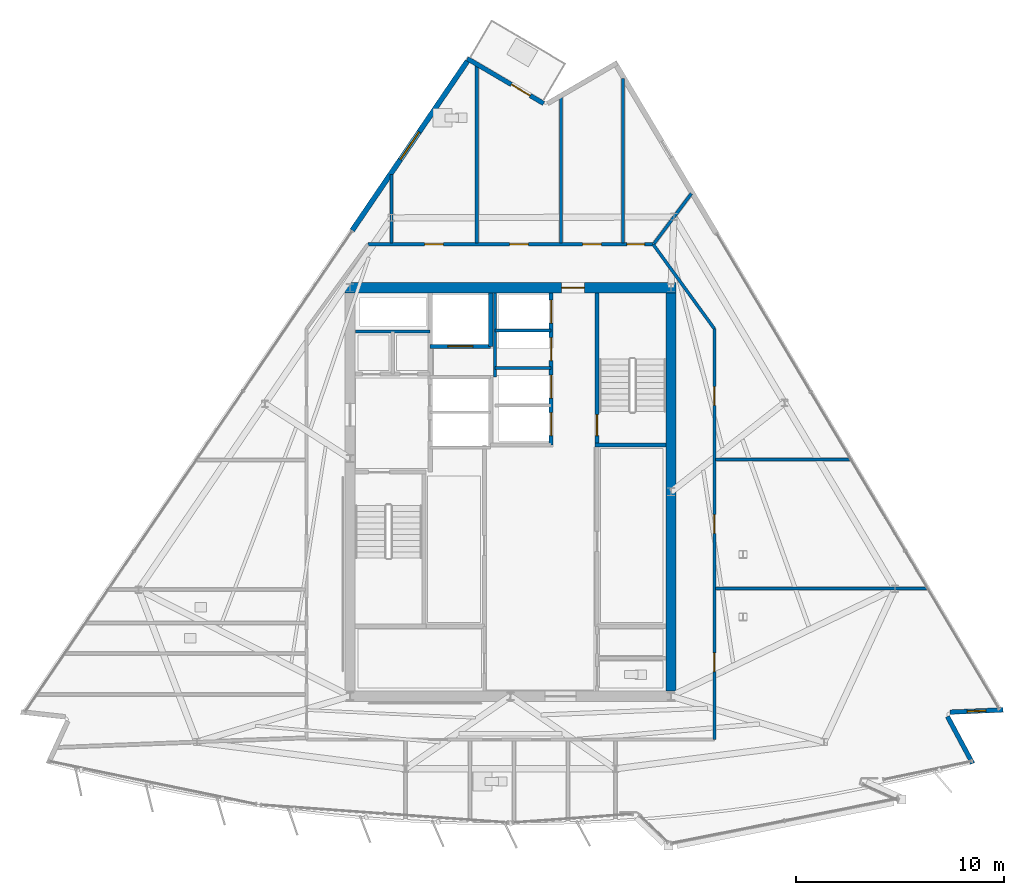
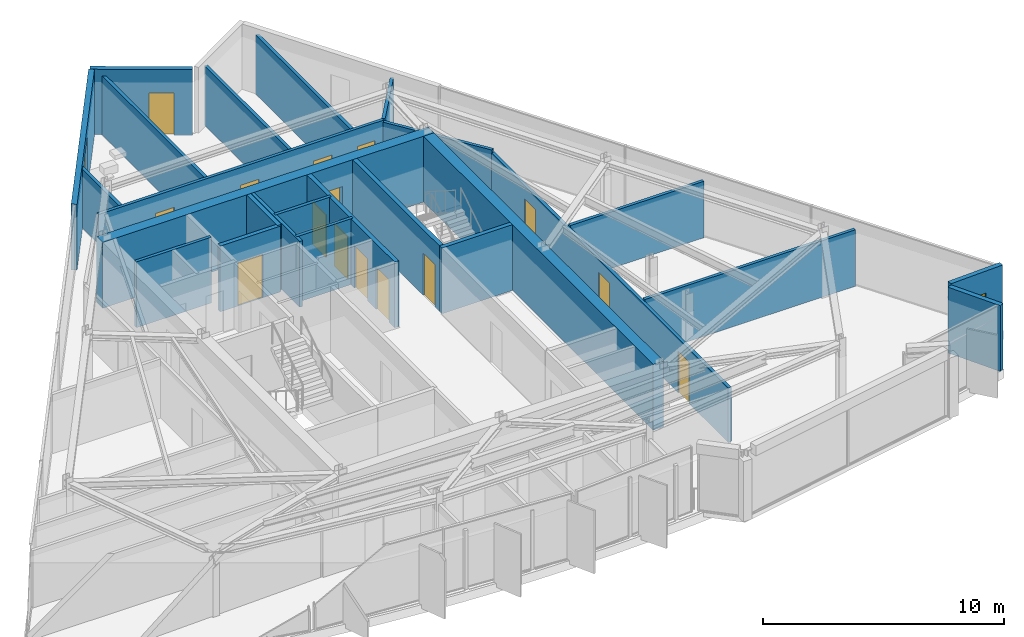
# One storey, part 9 of 14: 25 walls, 15 doors, 2 windows, 17 openings.
"""IFC4 building model written with IfcOpenShell, lengths in metres."""

from ifc_helpers import new_model, si_unit, direction, frame, frame_2d, origin, place, context, subcontext, project, spatial, rectangle, extrude, material, layer, layer_set, type_object, element, fill, save


model = new_model("IFC4")

# Units and contexts
model_context = context("Model", 3, precision=1e-05, world=origin(), true_north=direction((0.0, 1.0)))
body_context = subcontext(model_context, "Body", "Model", "MODEL_VIEW")
ifc_project = project(units=[si_unit("LENGTHUNIT", "METRE"), si_unit("AREAUNIT", "SQUARE_METRE"), si_unit("VOLUMEUNIT", "CUBIC_METRE"), si_unit("PLANEANGLEUNIT", "RADIAN"), si_unit("MASSUNIT", "GRAM", prefix="KILO")], contexts=[model_context])

# Site, building, storey
site_placement = place(None, origin())
site = spatial("IfcSite", under=ifc_project, at=site_placement, CompositionType="ELEMENT")
building_placement = place(site_placement, origin())
building = spatial("IfcBuilding", under=site, at=building_placement, Name="Savorim Split Tower", CompositionType="ELEMENT")
storey_placement = place(building_placement, frame((0.0, 0.0, 294.0)))
storey = spatial("IfcBuildingStorey", under=building, at=storey_placement, Name="L78", CompositionType="ELEMENT", Elevation=294.0)

# Wall, opening, door
ifc_material_1 = material(Name="Concrete C60/75", Category="concrete")
ifc_layer_1 = layer(ifc_material_1, 0.5)
ifc_layer_set_1 = layer_set([ifc_layer_1], Name="WAL-COR-SH500")
wall_type_1 = type_object("IfcWallType", Name="WAL-COR-SH500", PredefinedType="SHEAR", material=ifc_layer_set_1)
wall_1_placement = place(storey_placement, frame((7.949951171875, 10.199951171875, 0.0), z_axis=(0.0, 0.0, 1.0), x_axis=(-1.0, 0.0, 0.0)))
wall_1 = element("IfcWall", 1, at=wall_1_placement, inside=storey, type_object=wall_type_1, Name="L78 Offset Core North Shear Wall", PredefinedType="SHEAR", context=body_context, shape_type="SweptSolid", body=[
    extrude(rectangle(XDim=15.89990234375, YDim=0.5, at=frame_2d((7.949951171875, 0.0))), origin(), (0.0, 0.0, 1.0), 3.340087890625),
])
opening_1_placement = place(wall_1_placement, frame((4.39990234375, 0.0, 0.0)))
opening_1 = element("IfcOpeningElement", 2, at=opening_1_placement, cuts=wall_1, Name="Opening DI-03", PredefinedType="OPENING", context=body_context, shape_type="SweptSolid", body=[
    extrude(rectangle(XDim=1.10009765625, YDim=2.14990234375, at=frame_2d((0.550048828125, 1.074951171875))), frame((0.0, 0.260009765625, 0.0), z_axis=(0.0, -1.0, 0.0), x_axis=(1.0, 0.0, 0.0)), (0.0, 0.0, 1.0), 0.52001953125),
])
ifc_material_2 = material(Name="Timber Fire Door Leaf", Category="wood")
door_type_1 = type_object("IfcDoorType", Name="DOR-FIR-1100", OperationType="NOTDEFINED", PredefinedType="DOOR", material=ifc_material_2)
door_1_placement = place(opening_1_placement, origin())
door_1 = element("IfcDoor", 3, at=door_1_placement, inside=storey, type_object=door_type_1, Name="DOR-L78-COR-NLOB - L78 North Corridor Lobby Fire Door", OperationType="SINGLE_SWING_LEFT", OverallHeight=2.14990234375, OverallWidth=1.10009765625, PredefinedType="DOOR", context=body_context, shape_type="SweptSolid", body=[
    extrude(rectangle(XDim=1.10009765625, YDim=2.14990234375, at=frame_2d((0.550048828125, 1.074951171875))), frame((0.0, 0.02490234375, 0.0), z_axis=(0.0, -1.0, 0.0), x_axis=(1.0, 0.0, 0.0)), (0.0, 0.0, 1.0), 0.050048828125),
])
fill(opening_1, door_1)

# Walls
wall_2_placement = place(storey_placement, frame((7.699951171875, 9.949951171875, 0.0), z_axis=(0.0, 0.0, 1.0), x_axis=(0.0, -1.0, 0.0)))
element("IfcWall", 4, at=wall_2_placement, inside=storey, type_object=wall_type_1, Name="L78 Offset Core East Shear Wall", PredefinedType="SHEAR", context=body_context, shape_type="SweptSolid", body=[
    extrude(rectangle(XDim=19.099853515625, YDim=0.5, at=frame_2d((9.5498046875, 0.0))), origin(), (0.0, 0.0, 1.0), 3.340087890625),
])
ifc_material_3 = material(Name="Precast concrete C40/50", Category="concrete")
ifc_layer_2 = layer(ifc_material_3, 0.219970703125)
ifc_layer_set_2 = layer_set([ifc_layer_2], Name="WAL-EXT-CRN220")
wall_type_2 = type_object("IfcWallType", Name="WAL-EXT-CRN220", PredefinedType="SOLIDWALL", material=ifc_layer_set_2)
wall_3_placement = place(storey_placement, frame((20.9638671875, -10.380615234375, 0.0), z_axis=(0.0, 0.0, 1.0), x_axis=(0.472728849632, -0.881207940685, 0.0)))
element("IfcWall", 5, at=wall_3_placement, inside=storey, type_object=wall_type_2, Name="L78 Notched Corner Facade Wall SE1", PredefinedType="SOLIDWALL", context=body_context, shape_type="SweptSolid", body=[
    extrude(rectangle(XDim=2.5498046875, YDim=0.219970703125, at=frame_2d((1.27490234375, 0.0))), origin(), (0.0, 0.0, 1.0), 3.340087890625),
])

# Wall, opening, window
wall_4_placement = place(storey_placement, frame((23.630615234375, -10.058837890625, 0.0), z_axis=(0.0, 0.0, 1.0), x_axis=(-0.999098350703, -0.042455690107, 0.0)))
wall_4 = element("IfcWall", 6, at=wall_4_placement, inside=storey, type_object=wall_type_2, Name="L78 Notched Corner Facade Wall SE", PredefinedType="SOLIDWALL", context=body_context, shape_type="SweptSolid", body=[
    extrude(rectangle(XDim=2.54736328125, YDim=0.219970703125, at=frame_2d((1.273681640625, 0.0))), origin(), (0.0, 0.0, 1.0), 3.340087890625),
])
opening_2_placement = place(wall_4_placement, frame((0.82373046875, 0.0, 0.6201171875)))
opening_2 = element("IfcOpeningElement", 7, at=opening_2_placement, cuts=wall_4, Name="Opening WN-10", PredefinedType="OPENING", context=body_context, shape_type="SweptSolid", body=[
    extrude(rectangle(XDim=0.89990234375, YDim=1.60009765625, at=frame_2d((0.449951171875, 0.800048828125))), frame((0.0, 0.119873046875, 0.0), z_axis=(0.0, -1.0, 0.0), x_axis=(1.0, 0.0, 0.0)), (0.0, 0.0, 1.0), 0.239990234375),
])
ifc_material_4 = material(Name="Low-E Operable Double Glazing", Category="glass")
window_type_1 = type_object("IfcWindowType", Name="WIN-TWR-900x1600", PartitioningType="SINGLE_PANEL", PredefinedType="WINDOW", material=ifc_material_4)
window_1_placement = place(opening_2_placement, origin())
window_1 = element("IfcWindow", 8, at=window_1_placement, inside=storey, type_object=window_type_1, Name="L78 Operable Corner Window SE", OverallHeight=1.60009765625, OverallWidth=0.89990234375, PartitioningType="SINGLE_PANEL", PredefinedType="WINDOW", context=body_context, shape_type="SweptSolid", body=[
    extrude(rectangle(XDim=0.89990234375, YDim=1.60009765625, at=frame_2d((0.449951171875, 0.800048828125))), frame((0.0, 0.030029296875, 0.0), z_axis=(0.0, -1.0, 0.0), x_axis=(1.0, 0.0, 0.0)), (0.0, 0.0, 1.0), 0.06005859375),
])
fill(opening_2, window_1)

# Wall, opening, door
wall_5_placement = place(storey_placement, frame((-2.073974609375, 21.186279296875, 0.0), z_axis=(0.0, 0.0, 1.0), x_axis=(0.862137800155, -0.506673872964, 0.0)))
wall_5 = element("IfcWall", 9, at=wall_5_placement, inside=storey, type_object=wall_type_2, Name="L78 Notched Corner Facade Wall N", PredefinedType="SOLIDWALL", context=body_context, shape_type="SweptSolid", body=[
    extrude(rectangle(XDim=4.252685546875, YDim=0.219970703125, at=frame_2d((2.12646484375, 0.0))), origin(), (0.0, 0.0, 1.0), 3.340087890625),
])
opening_3_placement = place(wall_5_placement, frame((2.451416015625, 0.0, 0.0)))
opening_3 = element("IfcOpeningElement", 10, at=opening_3_placement, cuts=wall_5, Name="Opening DB-01", PredefinedType="OPENING", context=body_context, shape_type="SweptSolid", body=[
    extrude(rectangle(XDim=1.050048828125, YDim=2.14990234375, at=frame_2d((0.52490234375, 1.074951171875))), frame((0.0, 0.119873046875, 0.0), z_axis=(0.0, -1.0, 0.0), x_axis=(1.0, 0.0, 0.0)), (0.0, 0.0, 1.0), 0.239990234375),
])
ifc_material_5 = material(Name="Charcoal Anodised Aluminium", Category="aluminium")
door_type_2 = type_object("IfcDoorType", Name="DOR-BAL-1050", OperationType="NOTDEFINED", PredefinedType="DOOR", material=ifc_material_5)
door_2_placement = place(opening_3_placement, origin())
door_2 = element("IfcDoor", 11, at=door_2_placement, inside=storey, type_object=door_type_2, Name="DOR-L78-TBAL-N - L78 Planted Tree Balcony Door N", OperationType="SINGLE_SWING_LEFT", OverallHeight=2.14990234375, OverallWidth=1.050048828125, PredefinedType="DOOR", context=body_context, shape_type="SweptSolid", body=[
    extrude(rectangle(XDim=1.050048828125, YDim=2.14990234375, at=frame_2d((0.52490234375, 1.074951171875))), frame((0.0, 0.02490234375, 0.0), z_axis=(0.0, -1.0, 0.0), x_axis=(1.0, 0.0, 0.0)), (0.0, 0.0, 1.0), 0.050048828125),
])
fill(opening_3, door_2)

# Wall, opening, window
ifc_layer_3 = layer(ifc_material_3, 0.25)
ifc_layer_set_3 = layer_set([ifc_layer_3], Name="WAL-EXT-SPN250")
wall_type_3 = type_object("IfcWallType", Name="WAL-EXT-SPN250", PredefinedType="SOLIDWALL", material=ifc_layer_set_3)
wall_6_placement = place(storey_placement, frame((-7.59326171875, 12.944580078125, 0.0), z_axis=(0.0, 0.0, 1.0), x_axis=(0.562476003565, 0.826813609838, 0.0)))
wall_6 = element("IfcWall", 12, at=wall_6_placement, inside=storey, type_object=wall_type_3, Name="L78 West Operable Window Pier", PredefinedType="SOLIDWALL", context=body_context, shape_type="SweptSolid", body=[
    extrude(rectangle(XDim=9.81591796875, YDim=0.25, at=frame_2d((4.907958984375, 0.0))), origin(), (0.0, 0.0, 1.0), 3.340087890625),
])
opening_4_placement = place(wall_6_placement, frame((4.10791015625, 0.0, 0.6201171875)))
opening_4 = element("IfcOpeningElement", 13, at=opening_4_placement, cuts=wall_6, Name="Opening WN-05", PredefinedType="OPENING", context=body_context, shape_type="SweptSolid", body=[
    extrude(rectangle(XDim=1.60009765625, YDim=2.10009765625, at=frame_2d((0.800048828125, 1.050048828125))), frame((0.0, 0.135009765625, 0.0), z_axis=(0.0, -1.0, 0.0), x_axis=(1.0, 0.0, 0.0)), (0.0, 0.0, 1.0), 0.27001953125),
])
window_type_2 = type_object("IfcWindowType", Name="WIN-TWR-1600x2100", PartitioningType="DOUBLE_PANEL_VERTICAL", PredefinedType="WINDOW", material=ifc_material_4)
window_2_placement = place(opening_4_placement, origin())
window_2 = element("IfcWindow", 14, at=window_2_placement, inside=storey, type_object=window_type_2, Name="L78 West Operable Ventilation Window", OverallHeight=2.10009765625, OverallWidth=1.60009765625, PartitioningType="SINGLE_PANEL", PredefinedType="WINDOW", context=body_context, shape_type="SweptSolid", body=[
    extrude(rectangle(XDim=1.60009765625, YDim=2.10009765625, at=frame_2d((0.800048828125, 1.050048828125))), frame((0.0, 0.030029296875, 0.0), z_axis=(0.0, -1.0, 0.0), x_axis=(1.0, 0.0, 0.0)), (0.0, 0.0, 1.0), 0.06005859375),
])
fill(opening_4, window_2)

# Wall, opening, door
ifc_material_6 = material(Name="Concrete C50/60", Category="concrete")
ifc_layer_4 = layer(ifc_material_6, 0.199951171875)
ifc_layer_set_4 = layer_set([ifc_layer_4], Name="WAL-INT-RC200")
wall_type_4 = type_object("IfcWallType", Name="WAL-INT-RC200", PredefinedType="SOLIDWALL", material=ifc_layer_set_4)
wall_7_placement = place(storey_placement, frame((4.14990234375, 2.75, 0.0), z_axis=(0.0, 0.0, 1.0), x_axis=(0.0, 1.0, 0.0)))
wall_7 = element("IfcWall", 15, at=wall_7_placement, inside=storey, type_object=wall_type_4, Name="L78 Structural Shaft Wall W-L78-CR07", PredefinedType="SOLIDWALL", context=body_context, shape_type="SweptSolid", body=[
    extrude(rectangle(XDim=7.199951171875, YDim=0.199951171875, at=frame_2d((3.60009765625, 0.0))), origin(), (0.0, 0.0, 1.0), 3.340087890625),
])
opening_5_placement = place(wall_7_placement, frame((0.35009765625, 0.0, 0.0)))
opening_5 = element("IfcOpeningElement", 16, at=opening_5_placement, cuts=wall_7, Name="Opening DI-04", PredefinedType="OPENING", context=body_context, shape_type="SweptSolid", body=[
    extrude(rectangle(XDim=1.0, YDim=2.14990234375, at=frame_2d((0.5, 1.074951171875))), frame((0.0, 0.10986328125, 0.0), z_axis=(0.0, -1.0, 0.0), x_axis=(1.0, 0.0, 0.0)), (0.0, 0.0, 1.0), 0.219970703125),
])
door_type_3 = type_object("IfcDoorType", Name="DOR-FIR-1000", OperationType="NOTDEFINED", PredefinedType="DOOR", material=ifc_material_2)
door_3_placement = place(opening_5_placement, origin())
door_3 = element("IfcDoor", 17, at=door_3_placement, inside=storey, type_object=door_type_3, Name="DR-L78-ST2 - L78 Stair ST-2 Enclosure Door", OperationType="SINGLE_SWING_RIGHT", OverallHeight=2.14990234375, OverallWidth=1.0, PredefinedType="DOOR", context=body_context, shape_type="SweptSolid", body=[
    extrude(rectangle(XDim=1.0, YDim=2.14990234375, at=frame_2d((0.5, 1.074951171875))), frame((0.0, 0.02490234375, 0.0), z_axis=(0.0, -1.0, 0.0), x_axis=(1.0, 0.0, 0.0)), (0.0, 0.0, 1.0), 0.050048828125),
])
fill(opening_5, door_3)

# Wall
wall_8_placement = place(storey_placement, frame((4.050048828125, 2.64990234375, 0.0), z_axis=(0.0, 0.0, 1.0), x_axis=(1.0, 0.0, 0.0)))
element("IfcWall", 18, at=wall_8_placement, inside=storey, type_object=wall_type_4, Name="L78 Structural Shaft Wall W-L78-CR08", PredefinedType="SOLIDWALL", context=body_context, shape_type="SweptSolid", body=[
    extrude(rectangle(XDim=3.39990234375, YDim=0.199951171875, at=frame_2d((1.699951171875, 0.0))), origin(), (0.0, 0.0, 1.0), 3.340087890625),
])

# Wall, opening, door
wall_9_placement = place(storey_placement, frame((-3.85009765625, 7.3798828125, 0.0), z_axis=(0.0, 0.0, 1.0), x_axis=(1.0, 0.0, 0.0)))
wall_9 = element("IfcWall", 19, at=wall_9_placement, inside=storey, type_object=wall_type_4, Name="L78 Partition W-L78-SVLS", PredefinedType="SOLIDWALL", context=body_context, shape_type="SweptSolid", body=[
    extrude(rectangle(XDim=2.900146484375, YDim=0.199951171875, at=frame_2d((1.4501953125, 0.0))), origin(), (0.0, 0.0, 1.0), 3.340087890625),
])
opening_6_placement = place(wall_9_placement, frame((0.85009765625, 0.0, 0.0)))
opening_6 = element("IfcOpeningElement", 20, at=opening_6_placement, cuts=wall_9, Name="Opening LD-SV", PredefinedType="OPENING", context=body_context, shape_type="SweptSolid", body=[
    extrude(rectangle(XDim=1.199951171875, YDim=2.199951171875, at=frame_2d((0.60009765625, 1.10009765625))), frame((0.0, 0.10986328125, 0.0), z_axis=(0.0, -1.0, 0.0), x_axis=(1.0, 0.0, 0.0)), (0.0, 0.0, 1.0), 0.219970703125),
])
door_type_4 = type_object("IfcDoorType", Name="DOR-SLD-SV1200", OperationType="NOTDEFINED", PredefinedType="DOOR", material=ifc_material_5)
door_4_placement = place(opening_6_placement, origin())
door_4 = element("IfcDoor", 21, at=door_4_placement, inside=storey, type_object=door_type_4, Name="DR-L78-LD-SVL1 - L78 Service Lift SVL-1 Sliding Landing Door", OperationType="DOUBLE_DOOR_SLIDING", OverallHeight=2.199951171875, OverallWidth=1.199951171875, PredefinedType="DOOR", context=body_context, shape_type="SweptSolid", body=[
    extrude(rectangle(XDim=1.199951171875, YDim=2.199951171875, at=frame_2d((0.60009765625, 1.10009765625))), frame((0.0, 0.02490234375, 0.0), z_axis=(0.0, -1.0, 0.0), x_axis=(1.0, 0.0, 0.0)), (0.0, 0.0, 1.0), 0.050048828125),
])
fill(opening_6, door_4)

# Wall
wall_10_placement = place(storey_placement, frame((-0.949951171875, 7.3798828125, 0.0), z_axis=(0.0, 0.0, 1.0), x_axis=(0.0, 1.0, 0.0)))
element("IfcWall", 22, at=wall_10_placement, inside=storey, type_object=wall_type_4, Name="L78 Partition W-L78-SVLE", PredefinedType="SOLIDWALL", context=body_context, shape_type="SweptSolid", body=[
    extrude(rectangle(XDim=2.565185546875, YDim=0.199951171875, at=frame_2d((1.28271484375, 0.0))), origin(), (0.0, 0.0, 1.0), 3.340087890625),
])

# Wall, openings, doors
wall_11_placement = place(storey_placement, frame((1.949951171875, 2.64990234375, 0.0), z_axis=(0.0, 0.0, 1.0), x_axis=(0.0, 1.0, 0.0)))
wall_11 = element("IfcWall", 23, at=wall_11_placement, inside=storey, type_object=wall_type_4, Name="L78 Partition W-L78-B3FRONT", PredefinedType="SOLIDWALL", context=body_context, shape_type="SweptSolid", body=[
    extrude(rectangle(XDim=7.295166015625, YDim=0.199951171875, at=frame_2d((3.6474609375, 0.0))), origin(), (0.0, 0.0, 1.0), 3.340087890625),
])
opening_7_placement = place(wall_11_placement, frame((0.449951171875, 0.0, 0.0)))
opening_7 = element("IfcOpeningElement", 24, at=opening_7_placement, cuts=wall_11, Name="Opening LD-03", PredefinedType="OPENING", context=body_context, shape_type="SweptSolid", body=[
    extrude(rectangle(XDim=1.10009765625, YDim=2.14990234375, at=frame_2d((0.550048828125, 1.074951171875))), frame((0.0, 0.10986328125, 0.0), z_axis=(0.0, -1.0, 0.0), x_axis=(1.0, 0.0, 0.0)), (0.0, 0.0, 1.0), 0.219970703125),
])
opening_8_placement = place(wall_11_placement, frame((2.25, 0.0, 0.0)))
opening_8 = element("IfcOpeningElement", 25, at=opening_8_placement, cuts=wall_11, Name="Opening LD-03", PredefinedType="OPENING", context=body_context, shape_type="SweptSolid", body=[
    extrude(rectangle(XDim=1.10009765625, YDim=2.14990234375, at=frame_2d((0.550048828125, 1.074951171875))), frame((0.0, 0.10986328125, 0.0), z_axis=(0.0, -1.0, 0.0), x_axis=(1.0, 0.0, 0.0)), (0.0, 0.0, 1.0), 0.219970703125),
])
opening_9_placement = place(wall_11_placement, frame((4.050048828125, 0.0, 0.0)))
opening_9 = element("IfcOpeningElement", 26, at=opening_9_placement, cuts=wall_11, Name="Opening LD-03", PredefinedType="OPENING", context=body_context, shape_type="SweptSolid", body=[
    extrude(rectangle(XDim=1.10009765625, YDim=2.14990234375, at=frame_2d((0.550048828125, 1.074951171875))), frame((0.0, 0.10986328125, 0.0), z_axis=(0.0, -1.0, 0.0), x_axis=(1.0, 0.0, 0.0)), (0.0, 0.0, 1.0), 0.219970703125),
])
opening_10_placement = place(wall_11_placement, frame((5.85009765625, 0.0, 0.0)))
opening_10 = element("IfcOpeningElement", 27, at=opening_10_placement, cuts=wall_11, Name="Opening LD-03", PredefinedType="OPENING", context=body_context, shape_type="SweptSolid", body=[
    extrude(rectangle(XDim=1.10009765625, YDim=2.14990234375, at=frame_2d((0.550048828125, 1.074951171875))), frame((0.0, 0.10986328125, 0.0), z_axis=(0.0, -1.0, 0.0), x_axis=(1.0, 0.0, 0.0)), (0.0, 0.0, 1.0), 0.219970703125),
])
door_type_5 = type_object("IfcDoorType", Name="DOR-SLD-LDH1100", OperationType="NOTDEFINED", PredefinedType="DOOR", material=ifc_material_5)
door_5_placement = place(opening_7_placement, origin())
door_5 = element("IfcDoor", 28, at=door_5_placement, inside=storey, type_object=door_type_5, Name="DR-L78-LD-PLH1 - L78 Lift PL-H1 Sliding Landing Door", OperationType="DOUBLE_DOOR_SLIDING", OverallHeight=2.14990234375, OverallWidth=1.10009765625, PredefinedType="DOOR", context=body_context, shape_type="SweptSolid", body=[
    extrude(rectangle(XDim=1.10009765625, YDim=2.14990234375, at=frame_2d((0.550048828125, 1.074951171875))), frame((0.0, 0.02490234375, 0.0), z_axis=(0.0, -1.0, 0.0), x_axis=(1.0, 0.0, 0.0)), (0.0, 0.0, 1.0), 0.050048828125),
])
fill(opening_7, door_5)
door_6_placement = place(opening_8_placement, origin())
door_6 = element("IfcDoor", 29, at=door_6_placement, inside=storey, type_object=door_type_5, Name="DR-L78-LD-PLH2 - L78 Lift PL-H2 Sliding Landing Door", OperationType="DOUBLE_DOOR_SLIDING", OverallHeight=2.14990234375, OverallWidth=1.10009765625, PredefinedType="DOOR", context=body_context, shape_type="SweptSolid", body=[
    extrude(rectangle(XDim=1.10009765625, YDim=2.14990234375, at=frame_2d((0.550048828125, 1.074951171875))), frame((0.0, 0.02490234375, 0.0), z_axis=(0.0, -1.0, 0.0), x_axis=(1.0, 0.0, 0.0)), (0.0, 0.0, 1.0), 0.050048828125),
])
fill(opening_8, door_6)
door_7_placement = place(opening_9_placement, origin())
door_7 = element("IfcDoor", 30, at=door_7_placement, inside=storey, type_object=door_type_5, Name="DR-L78-LD-PLH3 - L78 Lift PL-H3 Sliding Landing Door", OperationType="DOUBLE_DOOR_SLIDING", OverallHeight=2.14990234375, OverallWidth=1.10009765625, PredefinedType="DOOR", context=body_context, shape_type="SweptSolid", body=[
    extrude(rectangle(XDim=1.10009765625, YDim=2.14990234375, at=frame_2d((0.550048828125, 1.074951171875))), frame((0.0, 0.02490234375, 0.0), z_axis=(0.0, -1.0, 0.0), x_axis=(1.0, 0.0, 0.0)), (0.0, 0.0, 1.0), 0.050048828125),
])
fill(opening_9, door_7)
door_8_placement = place(opening_10_placement, origin())
door_8 = element("IfcDoor", 31, at=door_8_placement, inside=storey, type_object=door_type_5, Name="DR-L78-LD-PLH4 - L78 Lift PL-H4 Sliding Landing Door", OperationType="DOUBLE_DOOR_SLIDING", OverallHeight=2.14990234375, OverallWidth=1.10009765625, PredefinedType="DOOR", context=body_context, shape_type="SweptSolid", body=[
    extrude(rectangle(XDim=1.10009765625, YDim=2.14990234375, at=frame_2d((0.550048828125, 1.074951171875))), frame((0.0, 0.02490234375, 0.0), z_axis=(0.0, -1.0, 0.0), x_axis=(1.0, 0.0, 0.0)), (0.0, 0.0, 1.0), 0.050048828125),
])
fill(opening_10, door_8)

# Walls
ifc_material_7 = material(Name="Acoustic Gypsum Partition Board")
ifc_layer_5 = layer(ifc_material_7, 0.14990234375)
ifc_layer_set_5 = layer_set([ifc_layer_5], Name="WAL-PAR-150")
wall_type_5 = type_object("IfcWallType", Name="WAL-PAR-150", PredefinedType="PARTITIONING", material=ifc_layer_set_5)
wall_12_placement = place(storey_placement, frame((-7.445068359375, 8.10009765625, 0.0), z_axis=(0.0, 0.0, 1.0), x_axis=(1.0, 0.0, 0.0)))
element("IfcWall", 32, at=wall_12_placement, inside=storey, type_object=wall_type_5, Name="L78 Partition W-L78-CR05", PredefinedType="PARTITIONING", context=body_context, shape_type="SweptSolid", body=[
    extrude(rectangle(XDim=3.594970703125, YDim=0.14990234375, at=frame_2d((1.79736328125, 0.0))), origin(), (0.0, 0.0, 1.0), 3.340087890625),
])
wall_13_placement = place(storey_placement, frame((-0.75, 5.919921875, 0.0), z_axis=(0.0, 0.0, 1.0), x_axis=(0.0, 1.0, 0.0)))
element("IfcWall", 33, at=wall_13_placement, inside=storey, type_object=wall_type_5, Name="L78 Partition W-L78-B3WEST", PredefinedType="PARTITIONING", context=body_context, shape_type="SweptSolid", body=[
    extrude(rectangle(XDim=4.025146484375, YDim=0.14990234375, at=frame_2d((2.0126953125, 0.0))), origin(), (0.0, 0.0, 1.0), 3.340087890625),
])
for number, where, z_axis, x_axis, name in (
    (34, (-0.75, 6.35009765625, 0.0), (0.0, 0.0, 1.0), (1.0, 0.0, 0.0), "L78 Partition W-L78-B3DIV2"),
    (35, (-0.75, 8.14990234375, 0.0), (0.0, 0.0, 1.0), (1.0, 0.0, 0.0), "L78 Partition W-L78-B3DIV3"),
):
    element("IfcWall", number, at=place(storey_placement, frame(where, z_axis=z_axis, x_axis=x_axis)), inside=storey, type_object=wall_type_5, Name=name, PredefinedType="PARTITIONING", context=body_context, shape_type="SweptSolid", body=[
        extrude(rectangle(XDim=2.699951171875, YDim=0.14990234375, at=frame_2d((1.35009765625, 0.0))), origin(), (0.0, 0.0, 1.0), 3.340087890625),
    ])

# Wall, openings, doors
wall_14_placement = place(storey_placement, frame((-6.8408203125, 12.280029296875, 0.0), z_axis=(0.0, 0.0, 1.0), x_axis=(1.0, 0.0, 0.0)))
wall_14 = element("IfcWall", 36, at=wall_14_placement, inside=storey, type_object=wall_type_5, Name="L78 Partition W-L78-COR-03", PredefinedType="PARTITIONING", context=body_context, shape_type="SweptSolid", body=[
    extrude(rectangle(XDim=13.681640625, YDim=0.14990234375, at=frame_2d((6.8408203125, 0.0))), origin(), (0.0, 0.0, 1.0), 3.0048828125),
])
opening_11_placement = place(wall_14_placement, frame((12.420654296875, 0.0, 0.0)))
opening_11 = element("IfcOpeningElement", 37, at=opening_11_placement, cuts=wall_14, Name="Opening DI-13", PredefinedType="OPENING", context=body_context, shape_type="SweptSolid", body=[
    extrude(rectangle(XDim=0.85009765625, YDim=2.10009765625, at=frame_2d((0.425048828125, 1.050048828125))), frame((0.0, 0.0849609375, 0.0), z_axis=(0.0, -1.0, 0.0), x_axis=(1.0, 0.0, 0.0)), (0.0, 0.0, 1.0), 0.169921875),
])
opening_12_placement = place(wall_14_placement, frame((10.3037109375, 0.0, 0.0)))
opening_12 = element("IfcOpeningElement", 38, at=opening_12_placement, cuts=wall_14, Name="Opening DI-06", PredefinedType="OPENING", context=body_context, shape_type="SweptSolid", body=[
    extrude(rectangle(XDim=0.89990234375, YDim=2.10009765625, at=frame_2d((0.449951171875, 1.050048828125))), frame((0.0, 0.0849609375, 0.0), z_axis=(0.0, -1.0, 0.0), x_axis=(1.0, 0.0, 0.0)), (0.0, 0.0, 1.0), 0.169921875),
])
opening_13_placement = place(wall_14_placement, frame((6.796875, 0.0, 0.0)))
opening_13 = element("IfcOpeningElement", 39, at=opening_13_placement, cuts=wall_14, Name="Opening DI-06", PredefinedType="OPENING", context=body_context, shape_type="SweptSolid", body=[
    extrude(rectangle(XDim=0.89990234375, YDim=2.10009765625, at=frame_2d((0.449951171875, 1.050048828125))), frame((0.0, 0.0849609375, 0.0), z_axis=(0.0, -1.0, 0.0), x_axis=(1.0, 0.0, 0.0)), (0.0, 0.0, 1.0), 0.169921875),
])
opening_14_placement = place(wall_14_placement, frame((2.727294921875, 0.0, 0.0)))
opening_14 = element("IfcOpeningElement", 40, at=opening_14_placement, cuts=wall_14, Name="Opening DI-11", PredefinedType="OPENING", context=body_context, shape_type="SweptSolid", body=[
    extrude(rectangle(XDim=0.89990234375, YDim=2.10009765625, at=frame_2d((0.449951171875, 1.050048828125))), frame((0.0, 0.0849609375, 0.0), z_axis=(0.0, -1.0, 0.0), x_axis=(1.0, 0.0, 0.0)), (0.0, 0.0, 1.0), 0.169921875),
])
door_type_6 = type_object("IfcDoorType", Name="DOR-FIR-850", OperationType="NOTDEFINED", PredefinedType="DOOR", material=ifc_material_2)
door_9_placement = place(opening_11_placement, origin())
door_9 = element("IfcDoor", 41, at=door_9_placement, inside=storey, type_object=door_type_6, Name="DR-L78-RM14 - L78 Quiet Study Room Entry Door", OperationType="SINGLE_SWING_LEFT", OverallHeight=2.10009765625, OverallWidth=0.85009765625, PredefinedType="DOOR", context=body_context, shape_type="SweptSolid", body=[
    extrude(rectangle(XDim=0.85009765625, YDim=2.10009765625, at=frame_2d((0.425048828125, 1.050048828125))), frame((0.0, 0.02490234375, 0.0), z_axis=(0.0, -1.0, 0.0), x_axis=(1.0, 0.0, 0.0)), (0.0, 0.0, 1.0), 0.050048828125),
])
fill(opening_11, door_9)
door_type_7 = type_object("IfcDoorType", Name="DOR-FIR-900", OperationType="NOTDEFINED", PredefinedType="DOOR", material=ifc_material_2)
door_10_placement = place(opening_12_placement, origin())
door_10 = element("IfcDoor", 42, at=door_10_placement, inside=storey, type_object=door_type_7, Name="DR-L78-RM15 - L78 Quiet Study Room Entry Door", OperationType="SINGLE_SWING_RIGHT", OverallHeight=2.10009765625, OverallWidth=0.89990234375, PredefinedType="DOOR", context=body_context, shape_type="SweptSolid", body=[
    extrude(rectangle(XDim=0.89990234375, YDim=2.10009765625, at=frame_2d((0.449951171875, 1.050048828125))), frame((0.0, 0.02490234375, 0.0), z_axis=(0.0, -1.0, 0.0), x_axis=(1.0, 0.0, 0.0)), (0.0, 0.0, 1.0), 0.050048828125),
])
fill(opening_12, door_10)
door_11_placement = place(opening_13_placement, origin())
door_11 = element("IfcDoor", 43, at=door_11_placement, inside=storey, type_object=door_type_7, Name="DR-L78-RM16 - L78 Quiet Study Room Entry Door", OperationType="SINGLE_SWING_LEFT", OverallHeight=2.10009765625, OverallWidth=0.89990234375, PredefinedType="DOOR", context=body_context, shape_type="SweptSolid", body=[
    extrude(rectangle(XDim=0.89990234375, YDim=2.10009765625, at=frame_2d((0.449951171875, 1.050048828125))), frame((0.0, 0.02490234375, 0.0), z_axis=(0.0, -1.0, 0.0), x_axis=(1.0, 0.0, 0.0)), (0.0, 0.0, 1.0), 0.050048828125),
])
fill(opening_13, door_11)
ifc_material_8 = material(Name="Oak Veneer Acoustic Door")
door_type_8 = type_object("IfcDoorType", Name="DOR-WC-900", OperationType="NOTDEFINED", PredefinedType="DOOR", material=ifc_material_8)
door_12_placement = place(opening_14_placement, origin())
door_12 = element("IfcDoor", 44, at=door_12_placement, inside=storey, type_object=door_type_8, Name="DR-L78-RM17 - L78 Shared Bathroom Entry Door", OperationType="SINGLE_SWING_RIGHT", OverallHeight=2.10009765625, OverallWidth=0.89990234375, PredefinedType="DOOR", context=body_context, shape_type="SweptSolid", body=[
    extrude(rectangle(XDim=0.89990234375, YDim=2.10009765625, at=frame_2d((0.449951171875, 1.050048828125))), frame((0.0, 0.02490234375, 0.0), z_axis=(0.0, -1.0, 0.0), x_axis=(1.0, 0.0, 0.0)), (0.0, 0.0, 1.0), 0.050048828125),
])
fill(opening_14, door_12)

# Wall
wall_15_placement = place(storey_placement, frame((6.8408203125, 12.280029296875, 0.0), z_axis=(0.0, 0.0, 1.0), x_axis=(0.586956386413, -0.809618552436, 0.0)))
element("IfcWall", 45, at=wall_15_placement, inside=storey, type_object=wall_type_5, Name="L78 Partition W-L78-COR-04", PredefinedType="PARTITIONING", context=body_context, shape_type="SweptSolid", body=[
    extrude(rectangle(XDim=5.007568359375, YDim=0.14990234375, at=frame_2d((2.50390625, 0.0))), origin(), (0.0, 0.0, 1.0), 2.9150390625),
])

# Wall, openings, doors
wall_16_placement = place(storey_placement, frame((9.780029296875, 8.225830078125, 0.0), z_axis=(0.0, 0.0, 1.0), x_axis=(0.0, -1.0, 0.0)))
wall_16 = element("IfcWall", 46, at=wall_16_placement, inside=storey, type_object=wall_type_5, Name="L78 Partition W-L78-COR-05", PredefinedType="PARTITIONING", context=body_context, shape_type="SweptSolid", body=[
    extrude(rectangle(XDim=19.705810546875, YDim=0.14990234375, at=frame_2d((9.85302734375, 0.0))), origin(), (0.0, 0.0, 1.0), 2.764892578125),
])
opening_15_placement = place(wall_16_placement, frame((15.546630859375, 0.0, 0.0)))
opening_15 = element("IfcOpeningElement", 47, at=opening_15_placement, cuts=wall_16, Name="Opening DI-06", PredefinedType="OPENING", context=body_context, shape_type="SweptSolid", body=[
    extrude(rectangle(XDim=0.89990234375, YDim=2.10009765625, at=frame_2d((0.449951171875, 1.050048828125))), frame((0.0, 0.0849609375, 0.0), z_axis=(0.0, -1.0, 0.0), x_axis=(1.0, 0.0, 0.0)), (0.0, 0.0, 1.0), 0.169921875),
])
opening_16_placement = place(wall_16_placement, frame((8.918701171875, 0.0, 0.0)))
opening_16 = element("IfcOpeningElement", 48, at=opening_16_placement, cuts=wall_16, Name="Opening DI-06", PredefinedType="OPENING", context=body_context, shape_type="SweptSolid", body=[
    extrude(rectangle(XDim=0.89990234375, YDim=2.10009765625, at=frame_2d((0.449951171875, 1.050048828125))), frame((0.0, 0.0849609375, 0.0), z_axis=(0.0, -1.0, 0.0), x_axis=(1.0, 0.0, 0.0)), (0.0, 0.0, 1.0), 0.169921875),
])
opening_17_placement = place(wall_16_placement, frame((2.77490234375, 0.0, 0.0)))
opening_17 = element("IfcOpeningElement", 49, at=opening_17_placement, cuts=wall_16, Name="Opening DI-06", PredefinedType="OPENING", context=body_context, shape_type="SweptSolid", body=[
    extrude(rectangle(XDim=0.89990234375, YDim=2.10009765625, at=frame_2d((0.449951171875, 1.050048828125))), frame((0.0, 0.0849609375, 0.0), z_axis=(0.0, -1.0, 0.0), x_axis=(1.0, 0.0, 0.0)), (0.0, 0.0, 1.0), 0.169921875),
])
door_13_placement = place(opening_15_placement, origin())
door_13 = element("IfcDoor", 50, at=door_13_placement, inside=storey, type_object=door_type_7, Name="DR-L78-RM11 - L78 Maker Workshop Entry Door", OperationType="SINGLE_SWING_RIGHT", OverallHeight=2.10009765625, OverallWidth=0.89990234375, PredefinedType="DOOR", context=body_context, shape_type="SweptSolid", body=[
    extrude(rectangle(XDim=0.89990234375, YDim=2.10009765625, at=frame_2d((0.449951171875, 1.050048828125))), frame((0.0, 0.02490234375, 0.0), z_axis=(0.0, -1.0, 0.0), x_axis=(1.0, 0.0, 0.0)), (0.0, 0.0, 1.0), 0.050048828125),
])
fill(opening_15, door_13)
door_14_placement = place(opening_16_placement, origin())
door_14 = element("IfcDoor", 51, at=door_14_placement, inside=storey, type_object=door_type_7, Name="DR-L78-RM12 - L78 Maker Workshop Entry Door", OperationType="SINGLE_SWING_LEFT", OverallHeight=2.10009765625, OverallWidth=0.89990234375, PredefinedType="DOOR", context=body_context, shape_type="SweptSolid", body=[
    extrude(rectangle(XDim=0.89990234375, YDim=2.10009765625, at=frame_2d((0.449951171875, 1.050048828125))), frame((0.0, 0.02490234375, 0.0), z_axis=(0.0, -1.0, 0.0), x_axis=(1.0, 0.0, 0.0)), (0.0, 0.0, 1.0), 0.050048828125),
])
fill(opening_16, door_14)
door_15_placement = place(opening_17_placement, origin())
door_15 = element("IfcDoor", 52, at=door_15_placement, inside=storey, type_object=door_type_7, Name="DR-L78-RM13 - L78 Co-Working Commons Entry Door", OperationType="SINGLE_SWING_RIGHT", OverallHeight=2.10009765625, OverallWidth=0.89990234375, PredefinedType="DOOR", context=body_context, shape_type="SweptSolid", body=[
    extrude(rectangle(XDim=0.89990234375, YDim=2.10009765625, at=frame_2d((0.449951171875, 1.050048828125))), frame((0.0, 0.02490234375, 0.0), z_axis=(0.0, -1.0, 0.0), x_axis=(1.0, 0.0, 0.0)), (0.0, 0.0, 1.0), 0.050048828125),
])
fill(opening_17, door_15)

# Walls
wall_17_placement = place(storey_placement, frame((9.840087890625, -4.239990234375, 0.0), z_axis=(0.0, 0.0, 1.0), x_axis=(1.0, 0.0, 0.0)))
element("IfcWall", 53, at=wall_17_placement, inside=storey, type_object=wall_type_5, Name="L78 Partition W-L78-PRAD05", PredefinedType="PARTITIONING", context=body_context, shape_type="SweptSolid", body=[
    extrude(rectangle(XDim=10.107421875, YDim=0.14990234375, at=frame_2d((5.0537109375, 0.0))), origin(), (0.0, 0.0, 1.0), 2.864990234375),
])
wall_18_placement = place(storey_placement, frame((6.8857421875, 12.310302734375, 0.0), z_axis=(0.0, 0.0, 1.0), x_axis=(0.598669337962, 0.80099626952, 0.0)))
element("IfcWall", 54, at=wall_18_placement, inside=storey, type_object=wall_type_5, Name="L78 Partition W-L78-PRAD07", PredefinedType="PARTITIONING", context=body_context, shape_type="SweptSolid", body=[
    extrude(rectangle(XDim=2.99609375, YDim=0.14990234375, at=frame_2d((1.498046875, 0.0))), origin(), (0.0, 0.0, 1.0), 3.0048828125),
])
wall_19_placement = place(storey_placement, frame((-5.710205078125, 12.340087890625, 0.0), z_axis=(0.0, 0.0, 1.0), x_axis=(0.0, 1.0, 0.0)))
element("IfcWall", 55, at=wall_19_placement, inside=storey, type_object=wall_type_5, Name="L78 Partition W-L78-PRAD08", PredefinedType="PARTITIONING", context=body_context, shape_type="SweptSolid", body=[
    extrude(rectangle(XDim=3.28369140625, YDim=0.14990234375, at=frame_2d((1.641845703125, 0.0))), origin(), (0.0, 0.0, 1.0), 3.0048828125),
])
wall_20_placement = place(storey_placement, frame((2.4287109375, 12.340087890625, 0.0), z_axis=(0.0, 0.0, 1.0), x_axis=(0.0, 1.0, 0.0)))
element("IfcWall", 56, at=wall_20_placement, inside=storey, type_object=wall_type_5, Name="L78 Partition W-L78-SUB03", PredefinedType="PARTITIONING", context=body_context, shape_type="SweptSolid", body=[
    extrude(rectangle(XDim=7.009521484375, YDim=0.14990234375, at=frame_2d((3.5048828125, 0.0))), origin(), (0.0, 0.0, 1.0), 3.0048828125),
])
wall_21_placement = place(storey_placement, frame((9.840087890625, 1.954345703125, 0.0), z_axis=(0.0, 0.0, 1.0), x_axis=(1.0, 0.0, 0.0)))
element("IfcWall", 57, at=wall_21_placement, inside=storey, type_object=wall_type_5, Name="L78 Partition W-L78-SUB08", PredefinedType="PARTITIONING", context=body_context, shape_type="SweptSolid", body=[
    extrude(rectangle(XDim=6.42431640625, YDim=0.14990234375, at=frame_2d((3.212158203125, 0.0))), origin(), (0.0, 0.0, 1.0), 2.864990234375),
])
wall_22_placement = place(storey_placement, frame((5.39697265625, 12.340087890625, 0.0), z_axis=(0.0, 0.0, 1.0), x_axis=(0.0, 1.0, 0.0)))
element("IfcWall", 58, at=wall_22_placement, inside=storey, type_object=wall_type_5, Name="L78 Partition W-L78-SUB09", PredefinedType="PARTITIONING", context=body_context, shape_type="SweptSolid", body=[
    extrude(rectangle(XDim=7.890380859375, YDim=0.14990234375, at=frame_2d((3.9453125, 0.0))), origin(), (0.0, 0.0, 1.0), 3.0048828125),
])
wall_23_placement = place(storey_placement, frame((-1.61669921875, 12.340087890625, 0.0), z_axis=(0.0, 0.0, 1.0), x_axis=(0.0, 1.0, 0.0)))
element("IfcWall", 59, at=wall_23_placement, inside=storey, type_object=wall_type_5, Name="L78 Partition W-L78-SUB10", PredefinedType="PARTITIONING", context=body_context, shape_type="SweptSolid", body=[
    extrude(rectangle(XDim=8.51953125, YDim=0.14990234375, at=frame_2d((4.259765625, 0.0))), origin(), (0.0, 0.0, 1.0), 3.0048828125),
])

save(model, "model.ifc")
